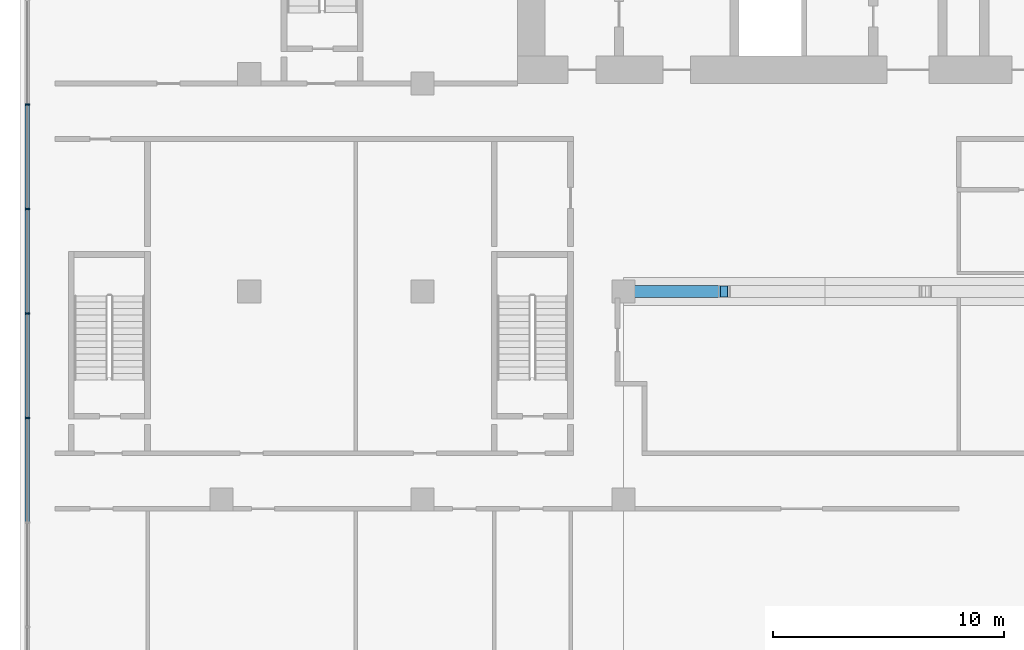
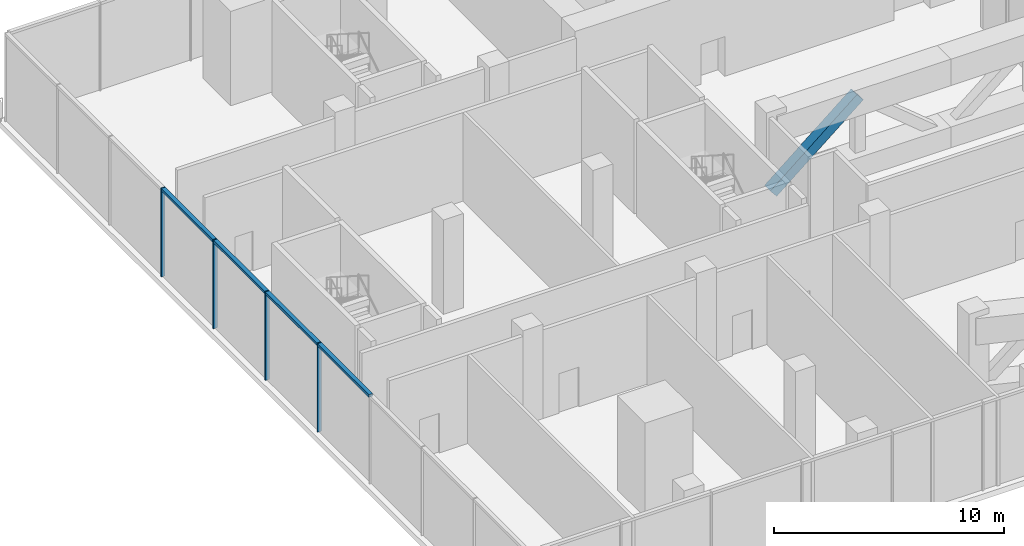
# One storey, part 3 of 22: 9 members, 1 element without a shape of its own.
"""IFC4 building model written with IfcOpenShell, lengths in metres."""

import ifcopenshell
import ifcopenshell.guid

model = None  # the IFC model being written
_history = None  # IfcOwnerHistory: only IFC2X3 demands one
_inside = {}  # id of a spatial element -> (the spatial element, [elements in it])
_under = {}  # id of a project, library or spatial element -> (it, [spatial elements below it])
_declared = {}  # id of a project -> (the project, [libraries it declares])
_typed = {}  # id of a type object -> (the type object, [elements of that type])
_made_of = {}  # id of a material, layer set ... -> (it, [elements and type objects made of it])


def new_model(schema):
    """Start an empty IFC model of exactly this schema.

    Asked for "IFC4X3", IfcOpenShell would pick the latest addendum, in which some entities
    have other attributes; the version numbers below select the first issue.
    IFC2X3 requires an IfcOwnerHistory on every rooted entity: one is made here for all.
    """
    global model, _history
    if schema == "IFC4X3":
        model = ifcopenshell.file(schema_version=(4, 3, 0, 0))
    else:
        model = ifcopenshell.file(schema=schema)
    _inside.clear()
    _under.clear()
    _declared.clear()
    _typed.clear()
    _made_of.clear()
    _history = None
    if model.schema == "IFC2X3":
        org = make("IfcOrganization", Name="unknown")
        user = make(
            "IfcPersonAndOrganization",
            ThePerson=make("IfcPerson", FamilyName="unknown"),
            TheOrganization=org,
        )
        app = make(
            "IfcApplication",
            ApplicationDeveloper=org,
            Version="unknown",
            ApplicationFullName="unknown",
            ApplicationIdentifier="unknown",
        )
        _history = make(
            "IfcOwnerHistory",
            OwningUser=user,
            OwningApplication=app,
            ChangeAction="ADDED",
            CreationDate=0,
        )
    return model


def make(cls, **values):
    """One entity of the class cls with the attributes given. An attribute that is None is left unset."""
    return model.create_entity(
        cls, **{name: value for name, value in values.items() if value is not None}
    )


def rooted(cls, **values):
    """An entity with a GlobalId (a new one), such as an element, a storey or a relation."""
    return make(cls, GlobalId=ifcopenshell.guid.new(), OwnerHistory=_history, **values)


def si_unit(unit_type, name, prefix=None):
    """IfcSIUnit, for example si_unit("LENGTHUNIT", "METRE", prefix="MILLI")."""
    return make("IfcSIUnit", UnitType=unit_type, Prefix=prefix, Name=name)


def assignment(units):
    """IfcUnitAssignment: the units of a project."""
    return None if units is None else make("IfcUnitAssignment", Units=units)


def point(xyz):
    """IfcCartesianPoint."""
    return None if xyz is None else make("IfcCartesianPoint", Coordinates=xyz)


def direction(xyz):
    """IfcDirection."""
    return None if xyz is None else make("IfcDirection", DirectionRatios=xyz)


def frame(location, z_axis=None, x_axis=None):
    """IfcAxis2Placement3D, a coordinate frame: its origin and axes. An axis left out is left unset."""
    return make(
        "IfcAxis2Placement3D",
        Location=point(location),
        Axis=direction(z_axis),
        RefDirection=direction(x_axis),
    )


def frame_2d(location, x_axis=None):
    """IfcAxis2Placement2D, a coordinate frame in the plane: its origin and x axis."""
    return make(
        "IfcAxis2Placement2D", Location=point(location), RefDirection=direction(x_axis)
    )


def origin():
    """The frame at (0, 0, 0) with its axes left unset."""
    return frame((0.0, 0.0, 0.0))


def origin_2d():
    """The frame at (0, 0) in the plane with its x axis left unset."""
    return frame_2d((0.0, 0.0))


def place(relative_to, where):
    """IfcLocalPlacement: puts the frame where relative to a parent placement (None: the world)."""
    return make(
        "IfcLocalPlacement", PlacementRelTo=relative_to, RelativePlacement=where
    )


def context(
    kind, dimensions, precision=None, world=None, true_north=None, identifier=None
):
    """IfcGeometricRepresentationContext, for example the 3D "Model" context."""
    return make(
        "IfcGeometricRepresentationContext",
        ContextIdentifier=identifier,
        ContextType=kind,
        CoordinateSpaceDimension=dimensions,
        Precision=precision,
        WorldCoordinateSystem=world,
        TrueNorth=true_north,
    )


def subcontext(parent, identifier, kind, view, scale=None):
    """IfcGeometricRepresentationSubContext, for example "Body" below "Model"."""
    return make(
        "IfcGeometricRepresentationSubContext",
        ContextIdentifier=identifier,
        ContextType=kind,
        ParentContext=parent,
        TargetScale=scale,
        TargetView=view,
    )


def project(units=None, contexts=None):
    """IfcProject with its units and contexts."""
    return rooted(
        "IfcProject",
        Name="project",
        RepresentationContexts=contexts,
        UnitsInContext=assignment(units),
    )


def spatial(cls, under=None, at=None, **own):
    """A site, building, storey or space (cls), placed at a placement, below another one or the project."""
    s = rooted(cls, ObjectPlacement=at, **own)
    if under is not None:
        _under.setdefault(under.id(), (under, []))[1].append(s)
    return s


def profile(cls, at=None, kind="AREA", **sizes):
    """A parametric profile (cls). Its sizes go by their IFC names, for example OverallWidth=200.0."""
    return make(cls, ProfileType=kind, Position=at, **sizes)


def rectangle(**sizes):
    """IfcRectangleProfileDef."""
    return profile("IfcRectangleProfileDef", **sizes)


def hollow_rectangle(**sizes):
    """IfcRectangleHollowProfileDef."""
    return profile("IfcRectangleHollowProfileDef", **sizes)


def extrude(swept, where, along, depth):
    """IfcExtrudedAreaSolid: the profile swept, set in the frame where, extruded along a direction by depth."""
    return make(
        "IfcExtrudedAreaSolid",
        SweptArea=swept,
        Position=where,
        ExtrudedDirection=direction(along),
        Depth=depth,
    )


def shape(context_of_items, identifier, shape_type, items):
    """IfcShapeRepresentation: the items that make up one representation, for example the "Body"."""
    return make(
        "IfcShapeRepresentation",
        ContextOfItems=context_of_items,
        RepresentationIdentifier=identifier,
        RepresentationType=shape_type,
        Items=items,
    )


def material(Name=None, Category=None):
    """IfcMaterial."""
    return make("IfcMaterial", Name=Name, Category=Category)


def material_profile(
    of_material, cross_section, Name=None, Category=None, Priority=None
):
    """IfcMaterialProfile: a cross section and its material."""
    return make(
        "IfcMaterialProfile",
        Name=Name,
        Material=of_material,
        Profile=cross_section,
        Priority=Priority,
        Category=Category,
    )


def profile_set(profiles, Name=None, composite=None):
    """IfcMaterialProfileSet."""
    return make(
        "IfcMaterialProfileSet",
        Name=Name,
        MaterialProfiles=profiles,
        CompositeProfile=composite,
    )


def made_of(thing, what):
    """Note that an element or type object is made of a material, layer set ...; save() writes the relation."""
    if what is not None:
        _made_of.setdefault(what.id(), (what, []))[1].append(thing)
    return thing


def type_object(cls, material=None, **own):
    """A type object (cls), such as IfcWallType, which elements share."""
    return made_of(rooted(cls, **own), material)


def element(
    cls,
    number,
    at=None,
    inside=None,
    cuts=None,
    type_object=None,
    material=None,
    context=None,
    identifier="Body",
    shape_type=None,
    held_by="IfcProductDefinitionShape",
    body=None,
    shapes=None,
    **own,
):
    """One element of the class cls, such as IfcWall. Its Tag is "e" and its number.

    at: its placement. inside: the storey or other place that contains it. cuts: it is an
    opening in that element (IfcRelVoidsElement). A single representation is given by context,
    identifier, shape_type and body (its items); several are given by shapes. held_by: the class
    of the entity that holds the representations. save() writes the other relations.
    """
    e = rooted(cls, Tag="e%d" % number, ObjectPlacement=at, **own)
    if body is not None:
        shapes = [shape(context, identifier, shape_type, body)]
    if shapes is not None:
        e.Representation = make(held_by, Representations=shapes)
    if inside is not None:
        _inside.setdefault(inside.id(), (inside, []))[1].append(e)
    if cuts is not None:
        rooted(
            "IfcRelVoidsElement", RelatingBuildingElement=cuts, RelatedOpeningElement=e
        )
    if type_object is not None:
        _typed.setdefault(type_object.id(), (type_object, []))[1].append(e)
    return made_of(e, material)


def aggregate(whole, parts):
    """IfcRelAggregates: a whole, such as a stair, and the parts it consists of."""
    return rooted("IfcRelAggregates", RelatingObject=whole, RelatedObjects=parts)


def save(model, path):
    """Write the relations noted so far, then the file.

    IfcRelAggregates (storeys below a building ...), IfcRelContainedInSpatialStructure (elements
    in a storey), IfcRelDefinesByType, IfcRelAssociatesMaterial and IfcRelDeclares: one each for
    every whole, place, type object, material and project.
    """
    for whole, parts in _under.values():
        aggregate(whole, parts)
    for where, things in _inside.values():
        rooted(
            "IfcRelContainedInSpatialStructure",
            RelatedElements=things,
            RelatingStructure=where,
        )
    for kind, things in _typed.values():
        rooted("IfcRelDefinesByType", RelatedObjects=things, RelatingType=kind)
    for what, things in _made_of.values():
        rooted("IfcRelAssociatesMaterial", RelatedObjects=things, RelatingMaterial=what)
    for by, libraries in _declared.values():
        rooted("IfcRelDeclares", RelatingContext=by, RelatedDefinitions=libraries)
    model.write(path)


model = new_model("IFC4")

# Units and contexts
model_context = context("Model", 3, precision=1e-05, world=origin(), true_north=direction((0.0, 1.0)))
body_context = subcontext(model_context, "Body", "Model", "MODEL_VIEW")
ifc_project = project(units=[si_unit("LENGTHUNIT", "METRE"), si_unit("AREAUNIT", "SQUARE_METRE"), si_unit("VOLUMEUNIT", "CUBIC_METRE"), si_unit("PLANEANGLEUNIT", "RADIAN"), si_unit("MASSUNIT", "GRAM", prefix="KILO")], contexts=[model_context])

# Site, building, storey
site_placement = place(None, origin())
site = spatial("IfcSite", under=ifc_project, at=site_placement, CompositionType="ELEMENT")
building_placement = place(site_placement, origin())
building = spatial("IfcBuilding", under=site, at=building_placement, Name="Bicima Exchange Tower", CompositionType="ELEMENT")
storey_placement = place(building_placement, frame((0.0, 0.0, 20.0)))
storey = spatial("IfcBuildingStorey", under=building, at=storey_placement, Name="L03", CompositionType="ELEMENT", Elevation=20.0)

# Curtain wall, members
ifc_material_1 = material(Name="Anodised bronze aluminium", Category="aluminium")
curtain_wall_type = type_object("IfcCurtainWallType", Name="Lobby glazing", PredefinedType="NOTDEFINED", material=ifc_material_1)
curtain_wall_placement = place(storey_placement, origin())
curtain_wall = element("IfcCurtainWall", 1, at=curtain_wall_placement, inside=storey, type_object=curtain_wall_type, Name="Podium glazing L03 west 1", PredefinedType="NOTDEFINED")
ifc_material_profile_1 = material_profile(ifc_material_1, rectangle(XDim=0.199951171875, YDim=0.06005859375, at=origin_2d()))
ifc_profile_set_1 = profile_set([ifc_material_profile_1], Name="Anodised bronze aluminium")
member_type_1 = type_object("IfcMemberType", Name="Lobby glazing mullion 60 x 200", PredefinedType="MULLION", material=ifc_profile_set_1)
member_1_placement = place(storey_placement, frame((-43.199951171875, -13.902099609375, 0.0), z_axis=(0.0, 0.0, 1.0), x_axis=(1.0, 0.0, 0.0)))
member_1 = element("IfcMember", 2, at=member_1_placement, type_object=member_type_1, Name="Lobby glazing mullion 4", PredefinedType="MULLION", context=body_context, shape_type="SweptSolid", body=[
    extrude(rectangle(XDim=0.199951171875, YDim=0.06005859375, at=origin_2d()), origin(), (0.0, 0.0, 1.0), 4.699951171875),
])
member_2_placement = place(storey_placement, frame((-43.199951171875, -18.426025390625, 0.0), z_axis=(0.0, 0.0, 1.0), x_axis=(1.0, 0.0, 0.0)))
member_2 = element("IfcMember", 3, at=member_2_placement, type_object=member_type_1, Name="Lobby glazing mullion 5", PredefinedType="MULLION", context=body_context, shape_type="SweptSolid", body=[
    extrude(rectangle(XDim=0.199951171875, YDim=0.06005859375, at=origin_2d()), origin(), (0.0, 0.0, 1.0), 4.699951171875),
])
member_3_placement = place(storey_placement, frame((-43.199951171875, -22.949951171875, 0.0), z_axis=(0.0, 0.0, 1.0), x_axis=(1.0, 0.0, 0.0)))
member_3 = element("IfcMember", 4, at=member_3_placement, type_object=member_type_1, Name="Lobby glazing mullion 6", PredefinedType="MULLION", context=body_context, shape_type="SweptSolid", body=[
    extrude(rectangle(XDim=0.199951171875, YDim=0.06005859375, at=origin_2d()), origin(), (0.0, 0.0, 1.0), 4.699951171875),
])
member_4_placement = place(storey_placement, frame((-43.199951171875, -27.47412109375, 0.0), z_axis=(0.0, 0.0, 1.0), x_axis=(1.0, 0.0, 0.0)))
member_4 = element("IfcMember", 5, at=member_4_placement, type_object=member_type_1, Name="Lobby glazing mullion 7", PredefinedType="MULLION", context=body_context, shape_type="SweptSolid", body=[
    extrude(rectangle(XDim=0.199951171875, YDim=0.06005859375, at=origin_2d()), origin(), (0.0, 0.0, 1.0), 4.699951171875),
])
ifc_material_profile_2 = material_profile(ifc_material_1, rectangle(XDim=0.199951171875, YDim=0.139892578125, at=origin_2d()))
ifc_profile_set_2 = profile_set([ifc_material_profile_2], Name="Anodised bronze aluminium")
member_type_2 = type_object("IfcMemberType", Name="Lobby glazing transom 140 x 200", PredefinedType="USERDEFINED", material=ifc_profile_set_2)
member_5_placement = place(storey_placement, frame((-43.199951171875, -13.931884765625, 4.6298828125), z_axis=(0.0, -1.0, 0.0), x_axis=(1.0, 0.0, 0.0)))
member_5 = element("IfcMember", 6, at=member_5_placement, type_object=member_type_2, Name="Lobby glazing transom 4.1", ObjectType="TRANSOM", PredefinedType="USERDEFINED", context=body_context, shape_type="SweptSolid", body=[
    extrude(rectangle(XDim=0.199951171875, YDim=0.139892578125, at=origin_2d()), origin(), (0.0, 0.0, 1.0), 4.464111328125),
])
member_6_placement = place(storey_placement, frame((-43.199951171875, -18.4560546875, 4.6298828125), z_axis=(0.0, -1.0, 0.0), x_axis=(1.0, 0.0, 0.0)))
member_6 = element("IfcMember", 7, at=member_6_placement, type_object=member_type_2, Name="Lobby glazing transom 5.1", ObjectType="TRANSOM", PredefinedType="USERDEFINED", context=body_context, shape_type="SweptSolid", body=[
    extrude(rectangle(XDim=0.199951171875, YDim=0.139892578125, at=origin_2d()), origin(), (0.0, 0.0, 1.0), 4.4638671875),
])
member_7_placement = place(storey_placement, frame((-43.199951171875, -22.97998046875, 4.6298828125), z_axis=(0.0, -1.0, 0.0), x_axis=(1.0, 0.0, 0.0)))
member_7 = element("IfcMember", 8, at=member_7_placement, type_object=member_type_2, Name="Lobby glazing transom 6.1", ObjectType="TRANSOM", PredefinedType="USERDEFINED", context=body_context, shape_type="SweptSolid", body=[
    extrude(rectangle(XDim=0.199951171875, YDim=0.139892578125, at=origin_2d()), origin(), (0.0, 0.0, 1.0), 4.464111328125),
])
member_8_placement = place(storey_placement, frame((-43.199951171875, -27.50390625, 4.6298828125), z_axis=(0.0, -1.0, 0.0), x_axis=(1.0, 0.0, 0.0)))
member_8 = element("IfcMember", 9, at=member_8_placement, type_object=member_type_2, Name="Lobby glazing transom 7.1", ObjectType="TRANSOM", PredefinedType="USERDEFINED", context=body_context, shape_type="SweptSolid", body=[
    extrude(rectangle(XDim=0.199951171875, YDim=0.139892578125, at=origin_2d()), origin(), (0.0, 0.0, 1.0), 4.464111328125),
])
aggregate(curtain_wall, [member_1, member_2, member_3, member_4, member_5, member_6, member_7, member_8])

# Member
ifc_material_2 = material(Name="Steel ASTM A572 Gr 50", Category="steel")
ifc_material_profile_3 = material_profile(ifc_material_2, hollow_rectangle(XDim=0.508056640625, YDim=0.508056640625, WallThickness=0.017822265625, at=origin_2d()))
ifc_profile_set_3 = profile_set([ifc_material_profile_3], Name="Steel ASTM A572 Gr 50")
member_type_3 = type_object("IfcMemberType", Name="Transfer truss diagonal HSS20x20x3/4", PredefinedType="STRUT", material=ifc_profile_set_3)
member_9_placement = place(storey_placement, frame((-17.39990234375, -22.0, 0.39990234375), z_axis=(0.770375280099, 0.0, 0.637590721241), x_axis=(0.0, 1.0, 0.0)))
element("IfcMember", 10, at=member_9_placement, inside=storey, type_object=member_type_3, Name="Truss diagonal", PredefinedType="STRUT", context=body_context, shape_type="SweptSolid", body=[
    extrude(hollow_rectangle(XDim=0.508056640625, YDim=0.508056640625, WallThickness=0.017822265625, at=origin_2d()), origin(), (0.0, 0.0, 1.0), 5.646484375),
])

save(model, "model.ifc")
